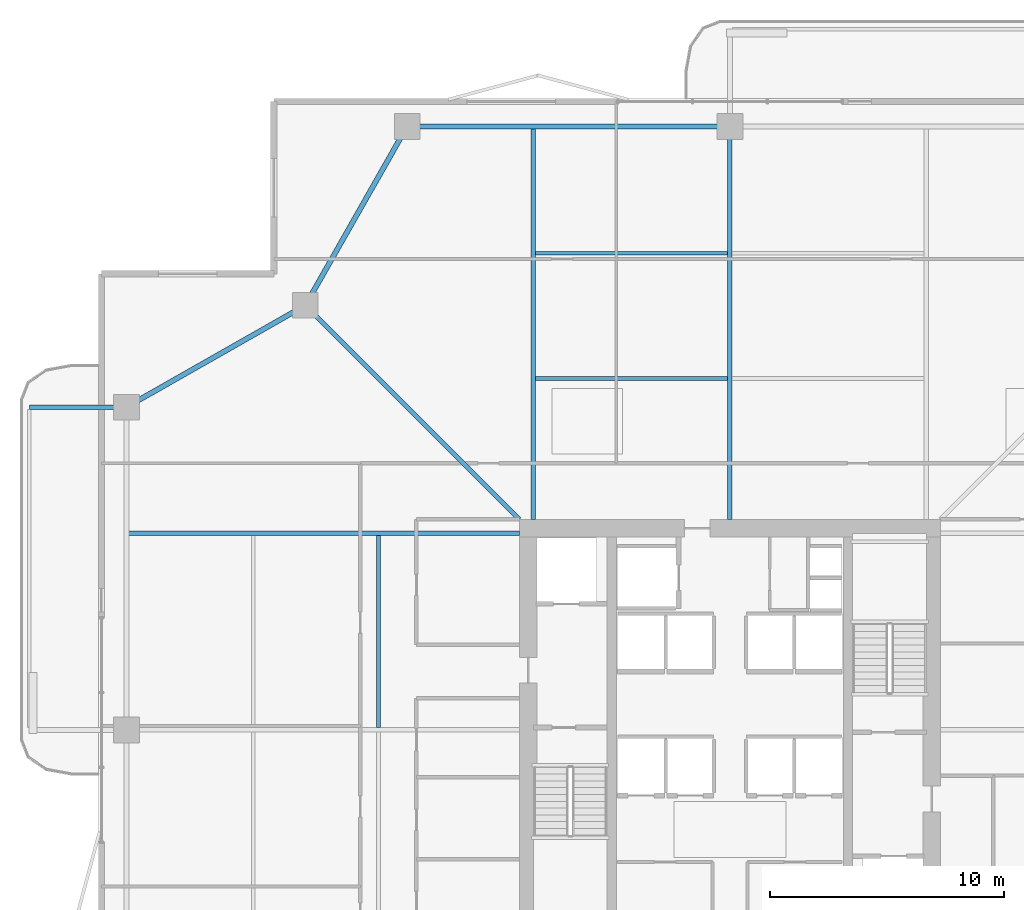
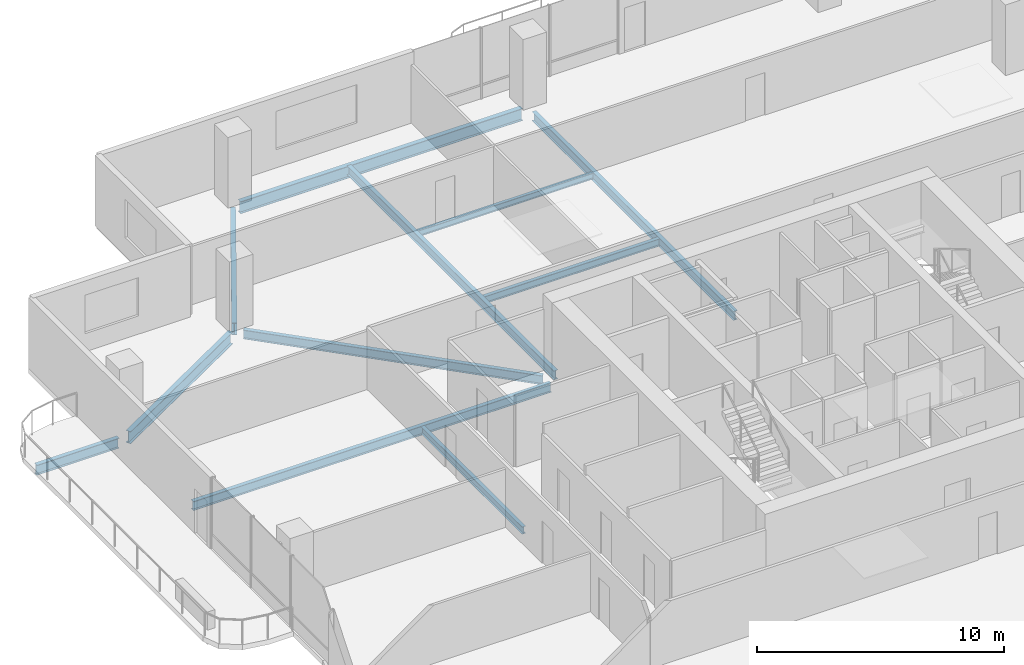
# One storey, part 10 of 24: 11 beams.
"""IFC4 building model written with IfcOpenShell, lengths in metres."""

from ifc_helpers import new_model, si_unit, direction, frame, origin, origin_2d, place, context, subcontext, project, spatial, i_section, extrude, material, material_profile, profile_set, type_object, element, save


model = new_model("IFC4")

# Units and contexts
model_context = context("Model", 3, precision=1e-05, world=origin(), true_north=direction((0.0, 1.0)))
body_context = subcontext(model_context, "Body", "Model", "MODEL_VIEW")
ifc_project = project(units=[si_unit("LENGTHUNIT", "METRE"), si_unit("AREAUNIT", "SQUARE_METRE"), si_unit("VOLUMEUNIT", "CUBIC_METRE"), si_unit("PLANEANGLEUNIT", "RADIAN"), si_unit("MASSUNIT", "GRAM", prefix="KILO")], contexts=[model_context])

# Site, building, storey
site_placement = place(None, origin())
site = spatial("IfcSite", under=ifc_project, at=site_placement, CompositionType="ELEMENT")
building_placement = place(site_placement, origin())
building = spatial("IfcBuilding", under=site, at=building_placement, Name="Belovzor Exchange Tower", CompositionType="ELEMENT")
storey_placement = place(building_placement, frame((0.0, 0.0, 207.449951171875)))
storey = spatial("IfcBuildingStorey", under=building, at=storey_placement, Name="L51", CompositionType="ELEMENT", Elevation=207.449951171875)

# Beams
ifc_material_1 = material(Name="Steel S355", Category="steel")
ifc_material_profile_1 = material_profile(ifc_material_1, i_section(OverallWidth=0.199951171875, OverallDepth=0.5, WebThickness=0.01025390625, FlangeThickness=0.01611328125, at=origin_2d()))
ifc_profile_set_1 = profile_set([ifc_material_profile_1], Name="Steel S355")
beam_type_1 = type_object("IfcBeamType", Name="Planted Balcony Cantilever Beam IPE 500", PredefinedType="BEAM", material=ifc_profile_set_1)
beam_1_placement = place(storey_placement, frame((2.697021484375, 42.60009765625, -0.5), z_axis=(-1.0, 0.0, 0.0), x_axis=(0.0, -1.0, 0.0)))
element("IfcBeam", 1, at=beam_1_placement, inside=storey, type_object=beam_type_1, Name="BC-500 Planted Balcony Cantilever Beam IPE 500", PredefinedType="BEAM", context=body_context, shape_type="SweptSolid", body=[
    extrude(i_section(OverallWidth=0.199951171875, OverallDepth=0.5, WebThickness=0.01025390625, FlangeThickness=0.01611328125, at=origin_2d()), origin(), (0.0, 0.0, 1.0), 3.85009765625),
])
ifc_material_2 = material(Name="Steel S355", Category="steel")
ifc_material_profile_2 = material_profile(ifc_material_2, i_section(OverallWidth=0.169921875, OverallDepth=0.360107421875, WebThickness=0.008056640625, FlangeThickness=0.0126953125, at=origin_2d()))
ifc_profile_set_2 = profile_set([ifc_material_profile_2], Name="Steel S355")
beam_type_2 = type_object("IfcBeamType", Name="Secondary Infill Floor Joist IPE 360", PredefinedType="BEAM", material=ifc_profile_set_2)
for number, where, z_axis, x_axis, name in (
    (2, (20.4951171875, 43.827880859375, -0.429931640625), (1.0, 0.0, 0.0), (0.0, 1.0, 0.0), "FJ-360 Secondary Infill Floor Joist IPE 360"),
    (3, (13.77197265625, 28.89501953125, -0.429931640625), (0.0, 1.0, 0.0), (-1.0, 0.0, 0.0), "FJ-360 Secondary Infill Floor Joist IPE 360"),
):
    element("IfcBeam", number, at=place(storey_placement, frame(where, z_axis=z_axis, x_axis=x_axis)), inside=storey, type_object=beam_type_2, Name=name, PredefinedType="BEAM", context=body_context, shape_type="SweptSolid", body=[
        extrude(i_section(OverallWidth=0.169921875, OverallDepth=0.360107421875, WebThickness=0.008056640625, FlangeThickness=0.0126953125, at=origin_2d()), origin(), (0.0, 0.0, 1.0), 8.2099609375),
    ])
ifc_material_3 = material(Name="Steel S355", Category="steel")
ifc_material_profile_3 = material_profile(ifc_material_3, i_section(OverallWidth=0.14990234375, OverallDepth=0.300048828125, WebThickness=0.007080078125, FlangeThickness=0.0107421875, at=origin_2d()))
ifc_profile_set_3 = profile_set([ifc_material_profile_3], Name="Steel S355")
beam_type_3 = type_object("IfcBeamType", Name="Secondary Trim Floor Joist IPE 300", PredefinedType="BEAM", material=ifc_profile_set_3)
beam_2_placement = place(storey_placement, frame((20.4951171875, 49.18701171875, -0.39990234375), z_axis=(1.0, 0.0, 0.0), x_axis=(0.0, 1.0, 0.0)))
element("IfcBeam", 4, at=beam_2_placement, inside=storey, type_object=beam_type_3, Name="FJ-300 Secondary Trim Floor Joist IPE 300", PredefinedType="BEAM", context=body_context, shape_type="SweptSolid", body=[
    extrude(i_section(OverallWidth=0.14990234375, OverallDepth=0.300048828125, WebThickness=0.007080078125, FlangeThickness=0.0107421875, at=origin_2d()), origin(), (0.0, 0.0, 1.0), 8.2099609375),
])
ifc_material_4 = material(Name="Steel S355", Category="steel")
ifc_material_profile_4 = material_profile(ifc_material_4, i_section(OverallWidth=0.18994140625, OverallDepth=0.449951171875, WebThickness=0.009521484375, FlangeThickness=0.0146484375, at=origin_2d()))
ifc_profile_set_4 = profile_set([ifc_material_profile_4], Name="Steel S355")
beam_type_4 = type_object("IfcBeamType", Name="Zone 2-4 Radial Composite Floor Beam IPE 450", PredefinedType="BEAM", material=ifc_profile_set_4)
beam_3_placement = place(storey_placement, frame((20.39990234375, 37.800048828125, -0.474853515625), z_axis=(0.0, 1.0, 0.0), x_axis=(-1.0, 0.0, 0.0)))
element("IfcBeam", 5, at=beam_3_placement, inside=storey, type_object=beam_type_4, Name="FB-450 Zone 2-4 Radial Composite Floor Beam IPE 450", PredefinedType="BEAM", context=body_context, shape_type="SweptSolid", body=[
    extrude(i_section(OverallWidth=0.18994140625, OverallDepth=0.449951171875, WebThickness=0.009521484375, FlangeThickness=0.0146484375, at=origin_2d()), origin(), (0.0, 0.0, 1.0), 16.744873046875),
])
beam_4_placement = place(storey_placement, frame((28.800048828125, 37.800048828125, -0.474853515625), z_axis=(0.0, 1.0, 0.0), x_axis=(-1.0, 0.0, 0.0)))
element("IfcBeam", 6, at=beam_4_placement, inside=storey, type_object=beam_type_4, Name="FB-450 Zone 2-4 Radial Composite Floor Beam IPE 450", PredefinedType="BEAM", context=body_context, shape_type="SweptSolid", body=[
    extrude(i_section(OverallWidth=0.18994140625, OverallDepth=0.449951171875, WebThickness=0.009521484375, FlangeThickness=0.0146484375, at=origin_2d()), origin(), (0.0, 0.0, 1.0), 16.31591796875),
])
beam_5_placement = place(storey_placement, frame((19.800048828125, 37.199951171875, -0.474853515625), z_axis=(-1.0, 0.0, 0.0), x_axis=(0.0, -1.0, 0.0)))
element("IfcBeam", 7, at=beam_5_placement, inside=storey, type_object=beam_type_4, Name="FB-450 Zone 2-4 Radial Composite Floor Beam IPE 450", PredefinedType="BEAM", context=body_context, shape_type="SweptSolid", body=[
    extrude(i_section(OverallWidth=0.18994140625, OverallDepth=0.449951171875, WebThickness=0.009521484375, FlangeThickness=0.0146484375, at=origin_2d()), origin(), (0.0, 0.0, 1.0), 16.7451171875),
])
beam_6_placement = place(storey_placement, frame((19.800048828125, 37.800048828125, -0.474853515625), z_axis=(-0.707106781187, 0.707106781187, 0.0), x_axis=(-0.707106781187, -0.707106781187, 0.0)))
element("IfcBeam", 8, at=beam_6_placement, inside=storey, type_object=beam_type_4, Name="FB-450 Zone 2-4 Radial Composite Floor Beam IPE 450", PredefinedType="BEAM", context=body_context, shape_type="SweptSolid", body=[
    extrude(i_section(OverallWidth=0.18994140625, OverallDepth=0.449951171875, WebThickness=0.009521484375, FlangeThickness=0.0146484375, at=origin_2d()), origin(), (0.0, 0.0, 1.0), 12.551025390625),
])
ifc_material_5 = material(Name="Steel S355", Category="steel")
ifc_material_profile_5 = material_profile(ifc_material_5, i_section(OverallWidth=0.219970703125, OverallDepth=0.60009765625, WebThickness=0.011962890625, FlangeThickness=0.01904296875, at=origin_2d()))
ifc_profile_set_5 = profile_set([ifc_material_profile_5], Name="Steel S355")
beam_type_5 = type_object("IfcBeamType", Name="Zone 4 Flare Primary Girder IPE 600", PredefinedType="BEAM", material=ifc_profile_set_5)
beam_7_placement = place(storey_placement, frame((28.498046875, 54.60009765625, -0.550048828125), z_axis=(-1.0, 0.0, 0.0), x_axis=(0.0, -1.0, 0.0)))
element("IfcBeam", 9, at=beam_7_placement, inside=storey, type_object=beam_type_5, Name="FG-Z4 Zone 4 Flare Primary Girder IPE 600", PredefinedType="BEAM", context=body_context, shape_type="SweptSolid", body=[
    extrude(i_section(OverallWidth=0.219970703125, OverallDepth=0.60009765625, WebThickness=0.011962890625, FlangeThickness=0.01904296875, at=origin_2d()), origin(), (0.0, 0.0, 1.0), 13.195068359375),
])
for number, where, z_axis, x_axis, name in (
    (10, (14.85009765625, 54.3369140625, -0.550048828125), (-0.494222323641, -0.869335547884, 0.0), (0.869335547884, -0.494222323641, 0.0), "FG-Z4 Zone 4 Flare Primary Girder IPE 600"),
    (11, (10.386962890625, 46.800048828125, -0.550048828125), (-0.869335547884, -0.494222323641, 0.0), (0.494222323641, -0.869335547884, 0.0), "FG-Z4 Zone 4 Flare Primary Girder IPE 600"),
):
    element("IfcBeam", number, at=place(storey_placement, frame(where, z_axis=z_axis, x_axis=x_axis)), inside=storey, type_object=beam_type_5, Name=name, PredefinedType="BEAM", context=body_context, shape_type="SweptSolid", body=[
        extrude(i_section(OverallWidth=0.219970703125, OverallDepth=0.60009765625, WebThickness=0.011962890625, FlangeThickness=0.01904296875, at=origin_2d()), origin(), (0.0, 0.0, 1.0), 8.19482421875),
    ])

save(model, "model.ifc")
